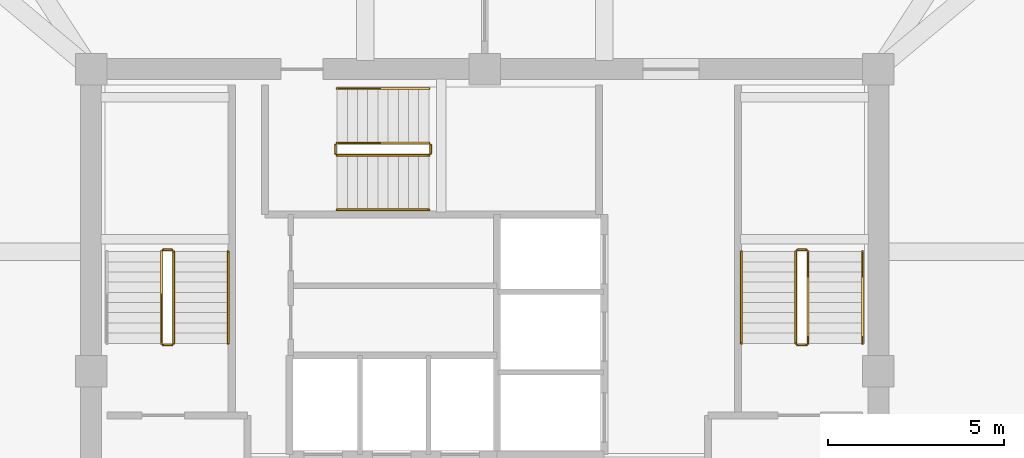
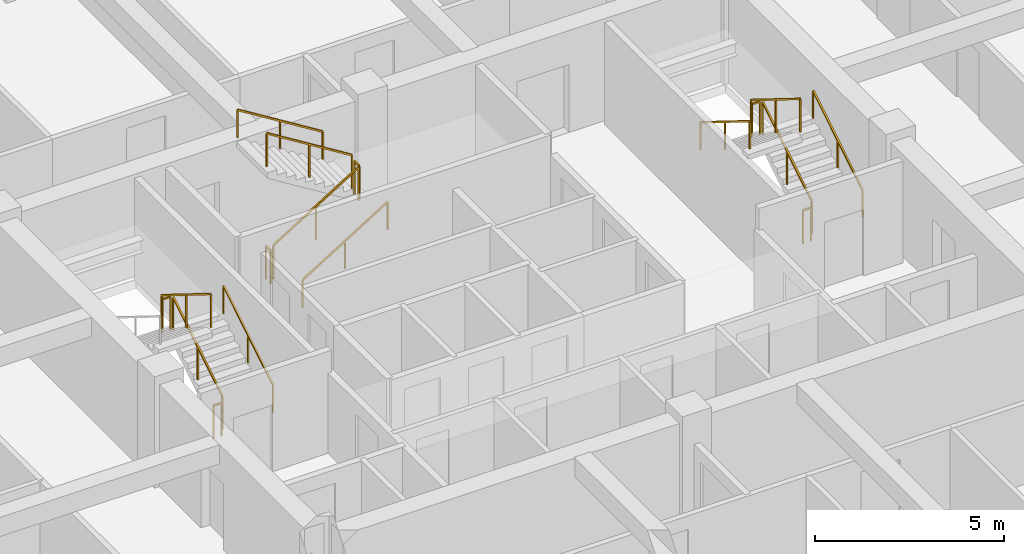
# One storey, part 13 of 13: 17 railings.
"""IFC4 building model written with IfcOpenShell, lengths in metres."""

from ifc_helpers import new_model, si_unit, derived_unit, direction, frame, origin, origin_2d, place, context, subcontext, project, spatial, rectangle, extrude, material, type_object, element, save


model = new_model("IFC4")

# Units and contexts
model_context = context("Model", 3, precision=1e-05, world=origin(), true_north=direction((0.0, 1.0)))
body_context = subcontext(model_context, "Body", "Model", "MODEL_VIEW")
ifc_project = project(units=[si_unit("LENGTHUNIT", "METRE"), si_unit("AREAUNIT", "SQUARE_METRE"), si_unit("VOLUMEUNIT", "CUBIC_METRE"), si_unit("PLANEANGLEUNIT", "RADIAN"), si_unit("MASSUNIT", "GRAM", prefix="KILO"), derived_unit("THERMALTRANSMITTANCEUNIT", [(si_unit("POWERUNIT", "WATT"), 1), (si_unit("LENGTHUNIT", "METRE"), -2), (si_unit("THERMODYNAMICTEMPERATUREUNIT", "KELVIN"), -1)])], contexts=[model_context])

# Site, building, storey
site_placement = place(None, origin())
site = spatial("IfcSite", under=ifc_project, at=site_placement, CompositionType="ELEMENT")
building_placement = place(site_placement, origin())
building = spatial("IfcBuilding", under=site, at=building_placement, Name="Koralith Skygarden Medical Center", CompositionType="ELEMENT")
storey_placement = place(building_placement, frame((0.0, 0.0, 228.780029296875)))
storey = spatial("IfcBuildingStorey", under=building, at=storey_placement, Name="L59", CompositionType="ELEMENT", Elevation=228.780029296875)

# Railings
ifc_material = material(Name="Steel ASTM A500 Grade C", Category="steel")
railing_type_1 = type_object("IfcRailingType", Name="Stair Flight Tubular Handrail 920", PredefinedType="HANDRAIL", material=ifc_material)
for number, where, name in (
    (1, (29.699951171875, 26.699951171875, 0.179931640625), "L59 ST1 stair handrail 1"),
    (2, (47.75, 26.699951171875, 0.179931640625), "L59 ST2 stair handrail 1"),
):
    element("IfcRailing", number, at=place(storey_placement, frame(where)), inside=storey, type_object=railing_type_1, Name=name, PredefinedType="HANDRAIL", context=body_context, shape_type="SweptSolid", body=[
        extrude(rectangle(XDim=0.050048828125, YDim=0.050048828125, at=origin_2d()), frame((0.0, 0.001708984375, 0.89599609375), z_axis=(0.0, 0.849632798774, 0.527374731332), x_axis=(-1.0, 0.0, 0.0)), (0.0, 0.0, 1.0), 3.068115234375),
        extrude(rectangle(XDim=0.0419921875, YDim=0.0419921875, at=origin_2d()), origin(), (0.0, 0.0, 1.0), 0.867919921875),
        extrude(rectangle(XDim=0.0419921875, YDim=0.0419921875, at=origin_2d()), frame((0.0, 1.30517578125, 0.81005859375)), (0.0, 0.0, 1.0), 0.867919921875),
        extrude(rectangle(XDim=0.0419921875, YDim=0.0419921875, at=origin_2d()), frame((0.0, 2.610107421875, 1.6201171875)), (0.0, 0.0, 1.0), 0.867919921875),
    ])
railing_1_placement = place(storey_placement, frame((44.300048828125, 29.31005859375, 1.97998046875)))
element("IfcRailing", 3, at=railing_1_placement, inside=storey, type_object=railing_type_1, Name="L59 ST2 stair handrail 2", PredefinedType="HANDRAIL", context=body_context, shape_type="SweptSolid", body=[
    extrude(rectangle(XDim=0.050048828125, YDim=0.050048828125, at=origin_2d()), frame((0.0, -0.001708984375, 0.89599609375), z_axis=(0.0, -0.849668407637, 0.527317358963), x_axis=(1.0, 0.0, 0.0)), (0.0, 0.0, 1.0), 3.06787109375),
    extrude(rectangle(XDim=0.0419921875, YDim=0.0419921875, at=origin_2d()), origin(), (0.0, 0.0, 1.0), 0.867919921875),
    extrude(rectangle(XDim=0.0419921875, YDim=0.0419921875, at=origin_2d()), frame((0.0, -1.30517578125, 0.81005859375)), (0.0, 0.0, 1.0), 0.867919921875),
    extrude(rectangle(XDim=0.0419921875, YDim=0.0419921875, at=origin_2d()), frame((0.0, -2.610107421875, 1.619873046875)), (0.0, 0.0, 1.0), 0.867919921875),
])
railing_2_placement = place(storey_placement, frame((32.800048828125, 30.5, 0.179931640625)))
element("IfcRailing", 4, at=railing_2_placement, inside=storey, type_object=railing_type_1, Name="L59 ST3 stair handrail 1", PredefinedType="HANDRAIL", context=body_context, shape_type="SweptSolid", body=[
    extrude(rectangle(XDim=0.050048828125, YDim=0.050048828125, at=origin_2d()), frame((0.001708984375, 0.0, 0.89599609375), z_axis=(0.849610693518, 0.0, 0.52741034258), x_axis=(0.0, 1.0, 0.0)), (0.0, 0.0, 1.0), 3.06787109375),
    extrude(rectangle(XDim=0.0419921875, YDim=0.0419921875, at=origin_2d()), origin(), (0.0, 0.0, 1.0), 0.867919921875),
    extrude(rectangle(XDim=0.0419921875, YDim=0.0419921875, at=origin_2d()), frame((1.304931640625, 0.0, 0.81005859375)), (0.0, 0.0, 1.0), 0.867919921875),
    extrude(rectangle(XDim=0.0419921875, YDim=0.0419921875, at=origin_2d()), frame((2.60986328125, 0.0, 1.6201171875)), (0.0, 0.0, 1.0), 0.867919921875),
])
railing_3_placement = place(storey_placement, frame((35.409912109375, 33.949951171875, 1.97998046875)))
element("IfcRailing", 5, at=railing_3_placement, inside=storey, type_object=railing_type_1, Name="L59 ST3 stair handrail 2", PredefinedType="HANDRAIL", context=body_context, shape_type="SweptSolid", body=[
    extrude(rectangle(XDim=0.050048828125, YDim=0.050048828125, at=origin_2d()), frame((-0.001708984375, 0.0, 0.89599609375), z_axis=(-0.849646306263, 0.0, 0.527352969322), x_axis=(0.0, -1.0, 0.0)), (0.0, 0.0, 1.0), 3.067626953125),
    extrude(rectangle(XDim=0.0419921875, YDim=0.0419921875, at=origin_2d()), origin(), (0.0, 0.0, 1.0), 0.867919921875),
    extrude(rectangle(XDim=0.0419921875, YDim=0.0419921875, at=origin_2d()), frame((-1.304931640625, 0.0, 0.81005859375)), (0.0, 0.0, 1.0), 0.867919921875),
    extrude(rectangle(XDim=0.0419921875, YDim=0.0419921875, at=origin_2d()), frame((-2.60986328125, 0.0, 1.619873046875)), (0.0, 0.0, 1.0), 0.867919921875),
])
railing_type_2 = type_object("IfcRailingType", Name="Stair Well Safety Guardrail 1100", PredefinedType="GUARDRAIL", material=ifc_material)
railing_4_placement = place(storey_placement, frame((28.14990234375, 26.699951171875, 0.179931640625)))
element("IfcRailing", 6, at=railing_4_placement, inside=storey, type_object=railing_type_2, Name="L59 ST1 stair guard 1", PredefinedType="GUARDRAIL", context=body_context, shape_type="SweptSolid", body=[
    extrude(rectangle(XDim=0.050048828125, YDim=0.050048828125, at=origin_2d()), frame((0.0, 0.001708984375, 1.076171875), z_axis=(0.0, 0.849632798774, 0.527374731332), x_axis=(-1.0, 0.0, 0.0)), (0.0, 0.0, 1.0), 3.068115234375),
    extrude(rectangle(XDim=0.0419921875, YDim=0.0419921875, at=origin_2d()), origin(), (0.0, 0.0, 1.0), 1.048095703125),
    extrude(rectangle(XDim=0.0419921875, YDim=0.0419921875, at=origin_2d()), frame((0.0, 1.30517578125, 0.81005859375)), (0.0, 0.0, 1.0), 1.048095703125),
    extrude(rectangle(XDim=0.0419921875, YDim=0.0419921875, at=origin_2d()), frame((0.0, 2.610107421875, 1.6201171875)), (0.0, 0.0, 1.0), 1.048095703125),
])
railing_5_placement = place(storey_placement, frame((28.10009765625, 29.360107421875, 1.800048828125)))
element("IfcRailing", 7, at=railing_5_placement, inside=storey, type_object=railing_type_2, Name="L59 ST1 stair guard 2", PredefinedType="GUARDRAIL", context=body_context, shape_type="SweptSolid", body=[
    extrude(rectangle(XDim=0.050048828125, YDim=0.050048828125, at=origin_2d()), frame((-0.001953125, 0.0, 1.0751953125), z_axis=(-1.0, 0.0, 0.0), x_axis=(0.0, -1.0, 0.0)), (0.0, 0.0, 1.0), 0.24609375),
    extrude(rectangle(XDim=0.0419921875, YDim=0.0419921875, at=origin_2d()), origin(), (0.0, 0.0, 1.0), 1.048095703125),
    extrude(rectangle(XDim=0.0419921875, YDim=0.0419921875, at=origin_2d()), frame((-0.25, 0.0, 0.0)), (0.0, 0.0, 1.0), 1.048095703125),
])
railing_6_placement = place(storey_placement, frame((27.800048828125, 29.31005859375, 1.97998046875)))
element("IfcRailing", 8, at=railing_6_placement, inside=storey, type_object=railing_type_2, Name="L59 ST1 stair guard 3", PredefinedType="GUARDRAIL", context=body_context, shape_type="SweptSolid", body=[
    extrude(rectangle(XDim=0.050048828125, YDim=0.050048828125, at=origin_2d()), frame((0.0, -0.001708984375, 1.076171875), z_axis=(0.0, -0.849668407637, 0.527317358963), x_axis=(1.0, 0.0, 0.0)), (0.0, 0.0, 1.0), 3.06787109375),
    extrude(rectangle(XDim=0.0419921875, YDim=0.0419921875, at=origin_2d()), origin(), (0.0, 0.0, 1.0), 1.048095703125),
    extrude(rectangle(XDim=0.0419921875, YDim=0.0419921875, at=origin_2d()), frame((0.0, -1.30517578125, 0.81005859375)), (0.0, 0.0, 1.0), 1.048095703125),
    extrude(rectangle(XDim=0.0419921875, YDim=0.0419921875, at=origin_2d()), frame((0.0, -2.610107421875, 1.619873046875)), (0.0, 0.0, 1.0), 1.048095703125),
])
railing_7_placement = place(storey_placement, frame((28.10009765625, 26.64990234375, 0.0)))
element("IfcRailing", 9, at=railing_7_placement, inside=storey, type_object=railing_type_2, Name="L59 ST1 stair guard 4", PredefinedType="GUARDRAIL", context=body_context, shape_type="SweptSolid", body=[
    extrude(rectangle(XDim=0.050048828125, YDim=0.050048828125, at=origin_2d()), frame((-0.001953125, 0.0, 1.0751953125), z_axis=(-1.0, 0.0, 0.0), x_axis=(0.0, -1.0, 0.0)), (0.0, 0.0, 1.0), 0.24609375),
    extrude(rectangle(XDim=0.0419921875, YDim=0.0419921875, at=origin_2d()), origin(), (0.0, 0.0, 1.0), 1.048095703125),
    extrude(rectangle(XDim=0.0419921875, YDim=0.0419921875, at=origin_2d()), frame((-0.25, 0.0, 0.0)), (0.0, 0.0, 1.0), 1.048095703125),
])
railing_8_placement = place(storey_placement, frame((46.199951171875, 26.699951171875, 0.179931640625)))
element("IfcRailing", 10, at=railing_8_placement, inside=storey, type_object=railing_type_2, Name="L59 ST2 stair guard 1", PredefinedType="GUARDRAIL", context=body_context, shape_type="SweptSolid", body=[
    extrude(rectangle(XDim=0.050048828125, YDim=0.050048828125, at=origin_2d()), frame((0.0, 0.001708984375, 1.076171875), z_axis=(0.0, 0.849632798774, 0.527374731332), x_axis=(-1.0, 0.0, 0.0)), (0.0, 0.0, 1.0), 3.068115234375),
    extrude(rectangle(XDim=0.0419921875, YDim=0.0419921875, at=origin_2d()), origin(), (0.0, 0.0, 1.0), 1.048095703125),
    extrude(rectangle(XDim=0.0419921875, YDim=0.0419921875, at=origin_2d()), frame((0.0, 1.30517578125, 0.81005859375)), (0.0, 0.0, 1.0), 1.048095703125),
    extrude(rectangle(XDim=0.0419921875, YDim=0.0419921875, at=origin_2d()), frame((0.0, 2.610107421875, 1.6201171875)), (0.0, 0.0, 1.0), 1.048095703125),
])
railing_9_placement = place(storey_placement, frame((46.14990234375, 29.360107421875, 1.800048828125)))
element("IfcRailing", 11, at=railing_9_placement, inside=storey, type_object=railing_type_2, Name="L59 ST2 stair guard 2", PredefinedType="GUARDRAIL", context=body_context, shape_type="SweptSolid", body=[
    extrude(rectangle(XDim=0.050048828125, YDim=0.050048828125, at=origin_2d()), frame((-0.001953125, 0.0, 1.0751953125), z_axis=(-1.0, 0.0, 0.0), x_axis=(0.0, -1.0, 0.0)), (0.0, 0.0, 1.0), 0.24609375),
    extrude(rectangle(XDim=0.0419921875, YDim=0.0419921875, at=origin_2d()), origin(), (0.0, 0.0, 1.0), 1.048095703125),
    extrude(rectangle(XDim=0.0419921875, YDim=0.0419921875, at=origin_2d()), frame((-0.25, 0.0, 0.0)), (0.0, 0.0, 1.0), 1.048095703125),
])
railing_10_placement = place(storey_placement, frame((45.85009765625, 29.31005859375, 1.97998046875)))
element("IfcRailing", 12, at=railing_10_placement, inside=storey, type_object=railing_type_2, Name="L59 ST2 stair guard 3", PredefinedType="GUARDRAIL", context=body_context, shape_type="SweptSolid", body=[
    extrude(rectangle(XDim=0.050048828125, YDim=0.050048828125, at=origin_2d()), frame((0.0, -0.001708984375, 1.076171875), z_axis=(0.0, -0.849668407637, 0.527317358963), x_axis=(1.0, 0.0, 0.0)), (0.0, 0.0, 1.0), 3.06787109375),
    extrude(rectangle(XDim=0.0419921875, YDim=0.0419921875, at=origin_2d()), origin(), (0.0, 0.0, 1.0), 1.048095703125),
    extrude(rectangle(XDim=0.0419921875, YDim=0.0419921875, at=origin_2d()), frame((0.0, -1.30517578125, 0.81005859375)), (0.0, 0.0, 1.0), 1.048095703125),
    extrude(rectangle(XDim=0.0419921875, YDim=0.0419921875, at=origin_2d()), frame((0.0, -2.610107421875, 1.619873046875)), (0.0, 0.0, 1.0), 1.048095703125),
])
railing_11_placement = place(storey_placement, frame((46.14990234375, 26.64990234375, 0.0)))
element("IfcRailing", 13, at=railing_11_placement, inside=storey, type_object=railing_type_2, Name="L59 ST2 stair guard 4", PredefinedType="GUARDRAIL", context=body_context, shape_type="SweptSolid", body=[
    extrude(rectangle(XDim=0.050048828125, YDim=0.050048828125, at=origin_2d()), frame((-0.001953125, 0.0, 1.0751953125), z_axis=(-1.0, 0.0, 0.0), x_axis=(0.0, -1.0, 0.0)), (0.0, 0.0, 1.0), 0.24609375),
    extrude(rectangle(XDim=0.0419921875, YDim=0.0419921875, at=origin_2d()), origin(), (0.0, 0.0, 1.0), 1.048095703125),
    extrude(rectangle(XDim=0.0419921875, YDim=0.0419921875, at=origin_2d()), frame((-0.25, 0.0, 0.0)), (0.0, 0.0, 1.0), 1.048095703125),
])
railing_12_placement = place(storey_placement, frame((32.800048828125, 32.050048828125, 0.179931640625)))
element("IfcRailing", 14, at=railing_12_placement, inside=storey, type_object=railing_type_2, Name="L59 ST3 stair guard 1", PredefinedType="GUARDRAIL", context=body_context, shape_type="SweptSolid", body=[
    extrude(rectangle(XDim=0.050048828125, YDim=0.050048828125, at=origin_2d()), frame((0.001708984375, 0.0, 1.076171875), z_axis=(0.849610693518, 0.0, 0.52741034258), x_axis=(0.0, 1.0, 0.0)), (0.0, 0.0, 1.0), 3.06787109375),
    extrude(rectangle(XDim=0.0419921875, YDim=0.0419921875, at=origin_2d()), origin(), (0.0, 0.0, 1.0), 1.048095703125),
    extrude(rectangle(XDim=0.0419921875, YDim=0.0419921875, at=origin_2d()), frame((1.304931640625, 0.0, 0.81005859375)), (0.0, 0.0, 1.0), 1.048095703125),
    extrude(rectangle(XDim=0.0419921875, YDim=0.0419921875, at=origin_2d()), frame((2.60986328125, 0.0, 1.6201171875)), (0.0, 0.0, 1.0), 1.048095703125),
])
railing_13_placement = place(storey_placement, frame((35.4599609375, 32.10009765625, 1.800048828125)))
element("IfcRailing", 15, at=railing_13_placement, inside=storey, type_object=railing_type_2, Name="L59 ST3 stair guard 2", PredefinedType="GUARDRAIL", context=body_context, shape_type="SweptSolid", body=[
    extrude(rectangle(XDim=0.050048828125, YDim=0.050048828125, at=origin_2d()), frame((0.0, 0.001953125, 1.0751953125), z_axis=(0.0, 1.0, 0.0), x_axis=(-1.0, 0.0, 0.0)), (0.0, 0.0, 1.0), 0.24609375),
    extrude(rectangle(XDim=0.0419921875, YDim=0.0419921875, at=origin_2d()), origin(), (0.0, 0.0, 1.0), 1.048095703125),
    extrude(rectangle(XDim=0.0419921875, YDim=0.0419921875, at=origin_2d()), frame((0.0, 0.25, 0.0)), (0.0, 0.0, 1.0), 1.048095703125),
])
railing_14_placement = place(storey_placement, frame((35.409912109375, 32.39990234375, 1.97998046875)))
element("IfcRailing", 16, at=railing_14_placement, inside=storey, type_object=railing_type_2, Name="L59 ST3 stair guard 3", PredefinedType="GUARDRAIL", context=body_context, shape_type="SweptSolid", body=[
    extrude(rectangle(XDim=0.050048828125, YDim=0.050048828125, at=origin_2d()), frame((-0.001708984375, 0.0, 1.076171875), z_axis=(-0.849646306263, 0.0, 0.527352969322), x_axis=(0.0, -1.0, 0.0)), (0.0, 0.0, 1.0), 3.067626953125),
    extrude(rectangle(XDim=0.0419921875, YDim=0.0419921875, at=origin_2d()), origin(), (0.0, 0.0, 1.0), 1.048095703125),
    extrude(rectangle(XDim=0.0419921875, YDim=0.0419921875, at=origin_2d()), frame((-1.304931640625, 0.0, 0.81005859375)), (0.0, 0.0, 1.0), 1.048095703125),
    extrude(rectangle(XDim=0.0419921875, YDim=0.0419921875, at=origin_2d()), frame((-2.60986328125, 0.0, 1.619873046875)), (0.0, 0.0, 1.0), 1.048095703125),
])
railing_15_placement = place(storey_placement, frame((32.75, 32.10009765625, 0.0)))
element("IfcRailing", 17, at=railing_15_placement, inside=storey, type_object=railing_type_2, Name="L59 ST3 stair guard 4", PredefinedType="GUARDRAIL", context=body_context, shape_type="SweptSolid", body=[
    extrude(rectangle(XDim=0.050048828125, YDim=0.050048828125, at=origin_2d()), frame((0.0, 0.001953125, 1.0751953125), z_axis=(0.0, 1.0, 0.0), x_axis=(-1.0, 0.0, 0.0)), (0.0, 0.0, 1.0), 0.24609375),
    extrude(rectangle(XDim=0.0419921875, YDim=0.0419921875, at=origin_2d()), origin(), (0.0, 0.0, 1.0), 1.048095703125),
    extrude(rectangle(XDim=0.0419921875, YDim=0.0419921875, at=origin_2d()), frame((0.0, 0.25, 0.0)), (0.0, 0.0, 1.0), 1.048095703125),
])

save(model, "model.ifc")
